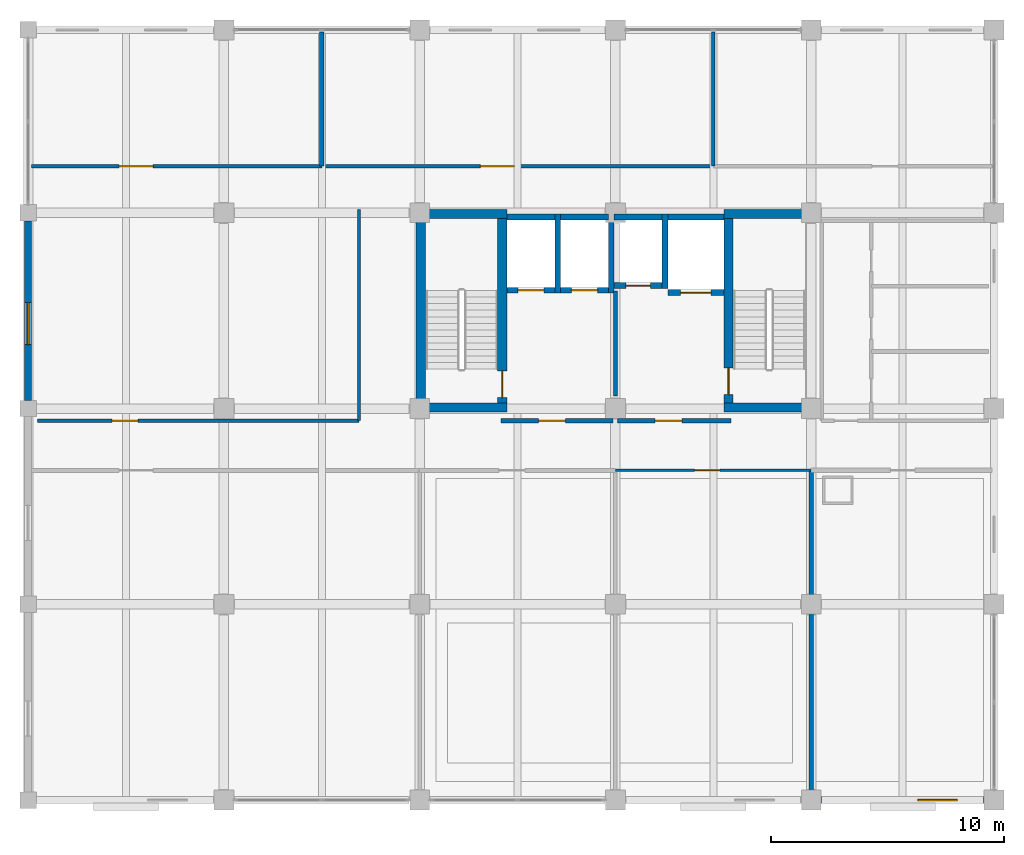
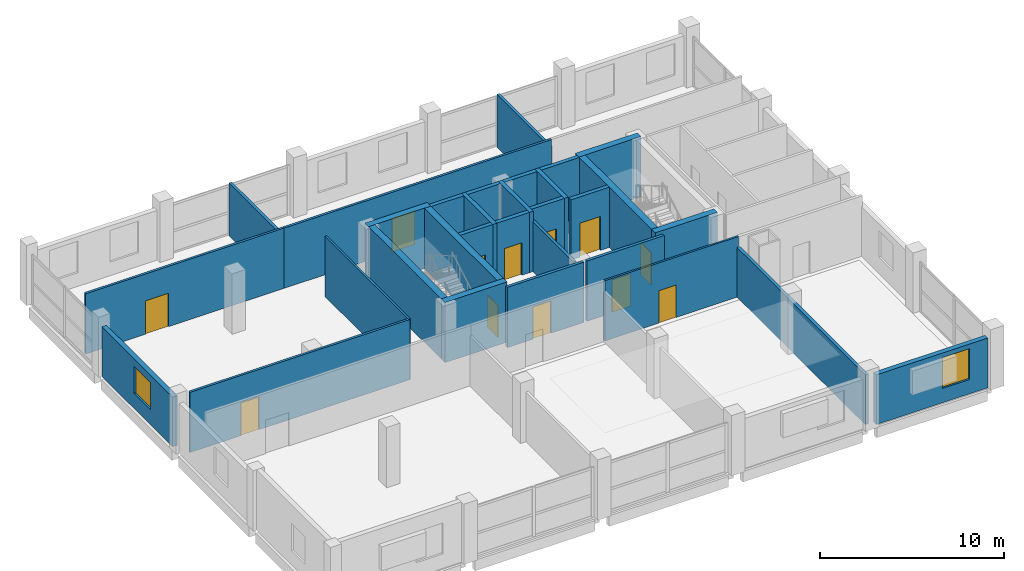
# One storey, part 7 of 11: 31 walls, 12 doors, 2 windows, 14 openings.
"""IFC4 building model written with IfcOpenShell, lengths in metres."""

from ifc_helpers import new_model, si_unit, direction, frame, frame_2d, origin, place, context, subcontext, project, spatial, rectangle, extrude, material, layer, layer_set, type_object, element, fill, save


model = new_model("IFC4")

# Units and contexts
model_context = context("Model", 3, precision=1e-05, world=origin(), true_north=direction((0.0, 1.0)))
body_context = subcontext(model_context, "Body", "Model", "MODEL_VIEW")
ifc_project = project(units=[si_unit("LENGTHUNIT", "METRE"), si_unit("AREAUNIT", "SQUARE_METRE"), si_unit("VOLUMEUNIT", "CUBIC_METRE"), si_unit("PLANEANGLEUNIT", "RADIAN"), si_unit("MASSUNIT", "GRAM", prefix="KILO")], contexts=[model_context])

# Site, building, storey
site_placement = place(None, origin())
site = spatial("IfcSite", under=ifc_project, at=site_placement, CompositionType="ELEMENT")
building_placement = place(site_placement, origin())
building = spatial("IfcBuilding", under=site, at=building_placement, Name="Brinegate Botanical Conservatory", CompositionType="ELEMENT")
storey_placement = place(building_placement, frame((0.0, 0.0, 23.39990234375)))
storey = spatial("IfcBuildingStorey", under=building, at=storey_placement, Name="L06", CompositionType="ELEMENT", Elevation=23.39990234375)

# Wall, opening, window
ifc_material_1 = material(Name="Insulated Minnan red clay brick masonry", Category="masonry")
ifc_layer_1 = layer(ifc_material_1, 0.300048828125, Name="Insulated Minnan red clay brick masonry", Category="masonry")
ifc_layer_set_1 = layer_set([ifc_layer_1], Name="Insulated Minnan red clay brick masonry")
wall_type_1 = type_object("IfcWallType", Name="Wall_EW-300B", PredefinedType="STANDARD", material=ifc_layer_set_1)
wall_1_placement = place(storey_placement, frame((163.02490234375, 78.39990234375, 0.0), z_axis=(0.0, 0.0, 1.0), x_axis=(-1.0, 0.0, 0.0)))
wall_1 = element("IfcWall", 1, at=wall_1_placement, inside=storey, type_object=wall_type_1, Name="Tower south facade wall L06.5", PredefinedType="STANDARD", context=body_context, shape_type="SweptSolid", body=[
    extrude(rectangle(XDim=7.0, YDim=0.300048828125, at=frame_2d((3.5, 0.0))), origin(), (0.0, 0.0, 1.0), 3.300048828125),
])
opening_1_placement = place(wall_1_placement, frame((1.14990234375, 0.0, 0.949951171875)))
opening_1 = element("IfcOpeningElement", 2, at=opening_1_placement, cuts=wall_1, Name="Opening WN-21", PredefinedType="OPENING", context=body_context, shape_type="SweptSolid", body=[
    extrude(rectangle(XDim=1.699951171875, YDim=2.050048828125, at=frame_2d((0.85009765625, 1.02490234375))), frame((0.0, 0.159912109375, 0.0), z_axis=(0.0, -1.0, 0.0), x_axis=(1.0, 0.0, 0.0)), (0.0, 0.0, 1.0), 0.320068359375),
])
ifc_material_2 = material(Name="Thermally broken aluminium-framed Low-E glass", Category="aluminium")
window_type_1 = type_object("IfcWindowType", Name="Win_WN-21", PartitioningType="DOUBLE_PANEL_VERTICAL", PredefinedType="WINDOW", material=ifc_material_2)
window_1_placement = place(opening_1_placement, origin())
window_1 = element("IfcWindow", 3, at=window_1_placement, inside=storey, type_object=window_type_1, Name="Tower south window L06.5", OverallHeight=2.050048828125, OverallWidth=1.699951171875, PartitioningType="DOUBLE_PANEL_VERTICAL", PredefinedType="WINDOW", context=body_context, shape_type="SweptSolid", body=[
    extrude(rectangle(XDim=1.699951171875, YDim=2.050048828125, at=frame_2d((0.85009765625, 1.02490234375))), frame((0.0, 0.030029296875, 0.0), z_axis=(0.0, -1.0, 0.0), x_axis=(1.0, 0.0, 0.0)), (0.0, 0.0, 1.0), 0.06005859375),
])
fill(opening_1, window_1)

wall_2_placement = place(storey_placement, frame((122.0, 95.550048828125, 0.0), z_axis=(0.0, 0.0, 1.0), x_axis=(0.0, 1.0, 0.0)))
wall_2 = element("IfcWall", 4, at=wall_2_placement, inside=storey, type_object=wall_type_1, Name="Tower mid-west wall L06", PredefinedType="STANDARD", context=body_context, shape_type="SweptSolid", body=[
    extrude(rectangle(XDim=7.699951171875, YDim=0.300048828125, at=frame_2d((3.85009765625, 0.0))), origin(), (0.0, 0.0, 1.0), 3.300048828125),
])
opening_2_placement = place(wall_2_placement, frame((2.39990234375, 0.0, 1.0)))
opening_2 = element("IfcOpeningElement", 5, at=opening_2_placement, cuts=wall_2, Name="Opening WN-05", PredefinedType="OPENING", context=body_context, shape_type="SweptSolid", body=[
    extrude(rectangle(XDim=1.800048828125, YDim=1.800048828125, at=frame_2d((0.89990234375, 0.89990234375))), frame((0.0, 0.159912109375, 0.0), z_axis=(0.0, -1.0, 0.0), x_axis=(1.0, 0.0, 0.0)), (0.0, 0.0, 1.0), 0.320068359375),
])
window_type_2 = type_object("IfcWindowType", Name="Win_WN-05", PartitioningType="DOUBLE_PANEL_VERTICAL", PredefinedType="WINDOW", material=ifc_material_2)
window_2_placement = place(opening_2_placement, origin())
window_2 = element("IfcWindow", 6, at=window_2_placement, inside=storey, type_object=window_type_2, Name="Tower mid-west window L06", OverallHeight=1.800048828125, OverallWidth=1.800048828125, PartitioningType="DOUBLE_PANEL_VERTICAL", PredefinedType="WINDOW", context=body_context, shape_type="SweptSolid", body=[
    extrude(rectangle(XDim=1.800048828125, YDim=1.800048828125, at=frame_2d((0.89990234375, 0.89990234375))), frame((0.0, 0.030029296875, 0.0), z_axis=(0.0, -1.0, 0.0), x_axis=(1.0, 0.0, 0.0)), (0.0, 0.0, 1.0), 0.06005859375),
])
fill(opening_2, window_2)

# Wall
ifc_material_3 = material(Name="Gypsum-clad steel-stud partition", Category="steel")
ifc_layer_2 = layer(ifc_material_3, 0.1201171875, Name="Gypsum-clad steel-stud partition", Category="steel")
ifc_layer_set_2 = layer_set([ifc_layer_2], Name="Gypsum-clad steel-stud partition")
wall_type_2 = type_object("IfcWallType", Name="Wall_PW-120", PredefinedType="PARTITIONING", material=ifc_layer_set_2)
wall_3_placement = place(storey_placement, frame((136.199951171875, 94.679931640625, 0.0), z_axis=(0.0, 0.0, 1.0), x_axis=(0.0, 1.0, 0.0)))
element("IfcWall", 7, at=wall_3_placement, inside=storey, type_object=wall_type_2, Name="Interior partition P-L06-XCORR-W", PredefinedType="PARTITIONING", context=body_context, shape_type="SweptSolid", body=[
    extrude(rectangle(XDim=9.070068359375, YDim=0.1201171875, at=frame_2d((4.53515625, 0.0))), origin(), (0.0, 0.0, 1.0), 4.0),
])

# Wall, opening, door
wall_4_placement = place(storey_placement, frame((147.199951171875, 92.550048828125, 0.0), z_axis=(0.0, 0.0, 1.0), x_axis=(1.0, 0.0, 0.0)))
wall_4 = element("IfcWall", 8, at=wall_4_placement, inside=storey, type_object=wall_type_2, Name="Interior partition P-L06-SB-S3", PredefinedType="PARTITIONING", context=body_context, shape_type="SweptSolid", body=[
    extrude(rectangle(XDim=8.400146484375, YDim=0.1201171875, at=frame_2d((4.2001953125, 0.0))), origin(), (0.0, 0.0, 1.0), 4.0),
])
opening_3_placement = place(wall_4_placement, frame((3.39990234375, 0.0, 0.0)))
opening_3 = element("IfcOpeningElement", 9, at=opening_3_placement, cuts=wall_4, Name="Opening DR-01", PredefinedType="OPENING", context=body_context, shape_type="SweptSolid", body=[
    extrude(rectangle(XDim=1.080078125, YDim=2.14990234375, at=frame_2d((0.5400390625, 1.074951171875))), frame((0.0, 0.070068359375, 0.0), z_axis=(0.0, -1.0, 0.0), x_axis=(1.0, 0.0, 0.0)), (0.0, 0.0, 1.0), 0.14013671875),
])
ifc_material_4 = material(Name="Hardwood timber acoustic leaf", Category="wood")
door_type_1 = type_object("IfcDoorType", Name="Door_DR-01", OperationType="NOTDEFINED", PredefinedType="DOOR", material=ifc_material_4)
door_1_placement = place(opening_3_placement, origin())
door_1 = element("IfcDoor", 10, at=door_1_placement, inside=storey, type_object=door_type_1, Name="DR-P-L06-SB-S3-1", OperationType="SINGLE_SWING_RIGHT", OverallHeight=2.14990234375, OverallWidth=1.080078125, PredefinedType="DOOR", context=body_context, shape_type="SweptSolid", body=[
    extrude(rectangle(XDim=1.080078125, YDim=2.14990234375, at=frame_2d((0.5400390625, 1.074951171875))), frame((0.0, 0.02490234375, 0.0), z_axis=(0.0, -1.0, 0.0), x_axis=(1.0, 0.0, 0.0)), (0.0, 0.0, 1.0), 0.050048828125),
])
fill(opening_3, door_1)

ifc_material_5 = material(Name="Gypsum-clad acoustic steel-stud partition", Category="steel")
ifc_layer_3 = layer(ifc_material_5, 0.14501953125, Name="Gypsum-clad acoustic steel-stud partition", Category="steel")
ifc_layer_set_3 = layer_set([ifc_layer_3], Name="Gypsum-clad acoustic steel-stud partition")
wall_type_3 = type_object("IfcWallType", Name="Wall_PW-150", PredefinedType="PARTITIONING", material=ifc_layer_set_3)
wall_5_placement = place(storey_placement, frame((122.39990234375, 94.679931640625, 0.0), z_axis=(0.0, 0.0, 1.0), x_axis=(1.0, 0.0, 0.0)))
wall_5 = element("IfcWall", 11, at=wall_5_placement, inside=storey, type_object=wall_type_3, Name="Interior partition P-L06-MIDW-S", PredefinedType="PARTITIONING", context=body_context, shape_type="SweptSolid", body=[
    extrude(rectangle(XDim=13.800048828125, YDim=0.14501953125, at=frame_2d((6.89990234375, 0.0))), origin(), (0.0, 0.0, 1.0), 4.0),
])
opening_4_placement = place(wall_5_placement, frame((3.199951171875, 0.0, 0.0)))
opening_4 = element("IfcOpeningElement", 12, at=opening_4_placement, cuts=wall_5, Name="Opening DR-05", PredefinedType="OPENING", context=body_context, shape_type="SweptSolid", body=[
    extrude(rectangle(XDim=1.1201171875, YDim=2.179931640625, at=frame_2d((0.56005859375, 1.08984375))), frame((0.0, 0.08251953125, 0.0), z_axis=(0.0, -1.0, 0.0), x_axis=(1.0, 0.0, 0.0)), (0.0, 0.0, 1.0), 0.1650390625),
])
ifc_material_6 = material(Name="Phenolic-faced laboratory timber leaf", Category="wood")
door_type_2 = type_object("IfcDoorType", Name="Door_DR-05", OperationType="NOTDEFINED", PredefinedType="DOOR", material=ifc_material_6)
door_2_placement = place(opening_4_placement, origin())
door_2 = element("IfcDoor", 13, at=door_2_placement, inside=storey, type_object=door_type_2, Name="DR-P-L06-MIDW-S-1", OperationType="SINGLE_SWING_RIGHT", OverallHeight=2.179931640625, OverallWidth=1.1201171875, PredefinedType="DOOR", context=body_context, shape_type="SweptSolid", body=[
    extrude(rectangle(XDim=1.1201171875, YDim=2.179931640625, at=frame_2d((0.56005859375, 1.08984375))), frame((0.0, 0.02490234375, 0.0), z_axis=(0.0, -1.0, 0.0), x_axis=(1.0, 0.0, 0.0)), (0.0, 0.0, 1.0), 0.050048828125),
])
fill(opening_4, door_2)

wall_6_placement = place(storey_placement, frame((122.14990234375, 105.60009765625, 0.0), z_axis=(0.0, 0.0, 1.0), x_axis=(1.0, 0.0, 0.0)))
wall_6 = element("IfcWall", 14, at=wall_6_placement, inside=storey, type_object=wall_type_3, Name="Interior partition P-L06-NB-N1", PredefinedType="PARTITIONING", context=body_context, shape_type="SweptSolid", body=[
    extrude(rectangle(XDim=12.4501953125, YDim=0.14501953125, at=frame_2d((6.22509765625, 0.0))), origin(), (0.0, 0.0, 1.0), 4.0),
])
opening_5_placement = place(wall_6_placement, frame((3.75, 0.0, 0.0)))
opening_5 = element("IfcOpeningElement", 15, at=opening_5_placement, cuts=wall_6, Name="Opening DR-20", PredefinedType="OPENING", context=body_context, shape_type="SweptSolid", body=[
    extrude(rectangle(XDim=1.4599609375, YDim=2.219970703125, at=frame_2d((0.72998046875, 1.10986328125))), frame((0.0, 0.08251953125, 0.0), z_axis=(0.0, -1.0, 0.0), x_axis=(1.0, 0.0, 0.0)), (0.0, 0.0, 1.0), 0.1650390625),
])
ifc_material_7 = material(Name="Powder-coated steel lab door", Category="steel")
door_type_3 = type_object("IfcDoorType", Name="Door_DR-20", OperationType="NOTDEFINED", PredefinedType="DOOR", material=ifc_material_7)
door_3_placement = place(opening_5_placement, origin())
door_3 = element("IfcDoor", 16, at=door_3_placement, inside=storey, type_object=door_type_3, Name="DR-P-L06-NB-N1-1", OperationType="SINGLE_SWING_LEFT", OverallHeight=2.219970703125, OverallWidth=1.4599609375, PredefinedType="DOOR", context=body_context, shape_type="SweptSolid", body=[
    extrude(rectangle(XDim=1.4599609375, YDim=2.219970703125, at=frame_2d((0.72998046875, 1.10986328125))), frame((0.0, 0.02490234375, 0.0), z_axis=(0.0, -1.0, 0.0), x_axis=(1.0, 0.0, 0.0)), (0.0, 0.0, 1.0), 0.050048828125),
])
fill(opening_5, door_3)

wall_7_placement = place(storey_placement, frame((134.60009765625, 105.60009765625, 0.0), z_axis=(0.0, 0.0, 1.0), x_axis=(1.0, 0.0, 0.0)))
wall_7 = element("IfcWall", 17, at=wall_7_placement, inside=storey, type_object=wall_type_3, Name="Interior partition P-L06-NB-N2", PredefinedType="PARTITIONING", context=body_context, shape_type="SweptSolid", body=[
    extrude(rectangle(XDim=16.7998046875, YDim=0.14501953125, at=frame_2d((8.39990234375, 0.0))), origin(), (0.0, 0.0, 1.0), 4.0),
])
opening_6_placement = place(wall_7_placement, frame((6.800048828125, 0.0, 0.0)))
opening_6 = element("IfcOpeningElement", 18, at=opening_6_placement, cuts=wall_7, Name="Opening DR-20", PredefinedType="OPENING", context=body_context, shape_type="SweptSolid", body=[
    extrude(rectangle(XDim=1.4599609375, YDim=2.219970703125, at=frame_2d((0.72998046875, 1.10986328125))), frame((0.0, 0.08251953125, 0.0), z_axis=(0.0, -1.0, 0.0), x_axis=(1.0, 0.0, 0.0)), (0.0, 0.0, 1.0), 0.1650390625),
])
door_4_placement = place(opening_6_placement, origin())
door_4 = element("IfcDoor", 19, at=door_4_placement, inside=storey, type_object=door_type_3, Name="DR-P-L06-NB-N2-1", OperationType="SINGLE_SWING_RIGHT", OverallHeight=2.219970703125, OverallWidth=1.4599609375, PredefinedType="DOOR", context=body_context, shape_type="SweptSolid", body=[
    extrude(rectangle(XDim=1.4599609375, YDim=2.219970703125, at=frame_2d((0.72998046875, 1.10986328125))), frame((0.0, 0.02490234375, 0.0), z_axis=(0.0, -1.0, 0.0), x_axis=(1.0, 0.0, 0.0)), (0.0, 0.0, 1.0), 0.050048828125),
])
fill(opening_6, door_4)

# Wall
ifc_material_8 = material(Name="Moisture-resistant laboratory partition", Category="gypsum")
ifc_layer_4 = layer(ifc_material_8, 0.157958984375, Name="Moisture-resistant laboratory partition", Category="gypsum")
ifc_layer_set_4 = layer_set([ifc_layer_4], Name="Moisture-resistant laboratory partition")
wall_type_4 = type_object("IfcWallType", Name="Wall_PW-158", PredefinedType="PARTITIONING", material=ifc_layer_set_4)
wall_8_placement = place(storey_placement, frame((151.39990234375, 105.60009765625, 0.0), z_axis=(0.0, 0.0, 1.0), x_axis=(0.0, 1.0, 0.0)))
element("IfcWall", 20, at=wall_8_placement, inside=storey, type_object=wall_type_4, Name="Interior partition P-L06-NDIV-N3", PredefinedType="PARTITIONING", context=body_context, shape_type="SweptSolid", body=[
    extrude(rectangle(XDim=5.75, YDim=0.157958984375, at=frame_2d((2.875, 0.0))), origin(), (0.0, 0.0, 1.0), 3.5),
])

# Wall, opening, door
ifc_material_9 = material(Name="Autoclaved aerated concrete C40/50 blockwork", Category="masonry")
ifc_layer_5 = layer(ifc_material_9, 0.179931640625, Name="Autoclaved aerated concrete C40/50 blockwork", Category="masonry")
ifc_layer_set_5 = layer_set([ifc_layer_5], Name="Autoclaved aerated concrete C40/50 blockwork")
wall_type_5 = type_object("IfcWallType", Name="Wall_PW-180F", PredefinedType="STANDARD", material=ifc_layer_set_5)
wall_9_placement = place(storey_placement, frame((142.300048828125, 94.679931640625, 0.0), z_axis=(0.0, 0.0, 1.0), x_axis=(1.0, 0.0, 0.0)))
wall_9 = element("IfcWall", 21, at=wall_9_placement, inside=storey, type_object=wall_type_5, Name="Interior partition P-L06-CORE-FF", PredefinedType="STANDARD", context=body_context, shape_type="SweptSolid", body=[
    extrude(rectangle(XDim=4.800048828125, YDim=0.179931640625, at=frame_2d((2.39990234375, 0.0))), origin(), (0.0, 0.0, 1.0), 4.0),
])
opening_7_placement = place(wall_9_placement, frame((1.60009765625, 0.0, 0.0)))
opening_7 = element("IfcOpeningElement", 22, at=opening_7_placement, cuts=wall_9, Name="Opening FD-B1", PredefinedType="OPENING", context=body_context, shape_type="SweptSolid", body=[
    extrude(rectangle(XDim=1.14990234375, YDim=2.14990234375, at=frame_2d((0.574951171875, 1.074951171875))), frame((0.0, 0.099853515625, 0.0), z_axis=(0.0, -1.0, 0.0), x_axis=(1.0, 0.0, 0.0)), (0.0, 0.0, 1.0), 0.199951171875),
])
ifc_material_10 = material(Name="Steel smoke-proof fire door assembly", Category="steel")
door_type_4 = type_object("IfcDoorType", Name="Door_FD-B1", OperationType="NOTDEFINED", PredefinedType="DOOR", material=ifc_material_10)
door_5_placement = place(opening_7_placement, origin())
door_5 = element("IfcDoor", 23, at=door_5_placement, inside=storey, type_object=door_type_4, Name="DR-P-L06-CORE-FF-1", OperationType="SINGLE_SWING_LEFT", OverallHeight=2.14990234375, OverallWidth=1.14990234375, PredefinedType="DOOR", context=body_context, shape_type="SweptSolid", body=[
    extrude(rectangle(XDim=1.14990234375, YDim=2.14990234375, at=frame_2d((0.574951171875, 1.074951171875))), frame((0.0, 0.02490234375, 0.0), z_axis=(0.0, -1.0, 0.0), x_axis=(1.0, 0.0, 0.0)), (0.0, 0.0, 1.0), 0.050048828125),
])
fill(opening_7, door_5)

wall_10_placement = place(storey_placement, frame((147.300048828125, 94.679931640625, 0.0), z_axis=(0.0, 0.0, 1.0), x_axis=(1.0, 0.0, 0.0)))
wall_10 = element("IfcWall", 24, at=wall_10_placement, inside=storey, type_object=wall_type_5, Name="Interior partition P-L06-CORE-PAX", PredefinedType="STANDARD", context=body_context, shape_type="SweptSolid", body=[
    extrude(rectangle(XDim=4.849853515625, YDim=0.179931640625, at=frame_2d((2.4248046875, 0.0))), origin(), (0.0, 0.0, 1.0), 4.0),
])
opening_8_placement = place(wall_10_placement, frame((1.60009765625, 0.0, 0.0)))
opening_8 = element("IfcOpeningElement", 25, at=opening_8_placement, cuts=wall_10, Name="Opening FD-B1", PredefinedType="OPENING", context=body_context, shape_type="SweptSolid", body=[
    extrude(rectangle(XDim=1.14990234375, YDim=2.14990234375, at=frame_2d((0.574951171875, 1.074951171875))), frame((0.0, 0.099853515625, 0.0), z_axis=(0.0, -1.0, 0.0), x_axis=(1.0, 0.0, 0.0)), (0.0, 0.0, 1.0), 0.199951171875),
])
door_6_placement = place(opening_8_placement, origin())
door_6 = element("IfcDoor", 26, at=door_6_placement, inside=storey, type_object=door_type_4, Name="DR-P-L06-CORE-PAX-1", OperationType="SINGLE_SWING_RIGHT", OverallHeight=2.14990234375, OverallWidth=1.14990234375, PredefinedType="DOOR", context=body_context, shape_type="SweptSolid", body=[
    extrude(rectangle(XDim=1.14990234375, YDim=2.14990234375, at=frame_2d((0.574951171875, 1.074951171875))), frame((0.0, 0.02490234375, 0.0), z_axis=(0.0, -1.0, 0.0), x_axis=(1.0, 0.0, 0.0)), (0.0, 0.0, 1.0), 0.050048828125),
])
fill(opening_8, door_6)

# Walls
wall_11_placement = place(storey_placement, frame((147.199951171875, 95.75, 0.0), z_axis=(0.0, 0.0, 1.0), x_axis=(0.0, 1.0, 0.0)))
element("IfcWall", 27, at=wall_11_placement, inside=storey, type_object=wall_type_5, Name="Interior partition P-L06-CORE-DIV", PredefinedType="STANDARD", context=body_context, shape_type="SweptSolid", body=[
    extrude(rectangle(XDim=4.5, YDim=0.179931640625, at=frame_2d((2.25, 0.0))), origin(), (0.0, 0.0, 1.0), 3.300048828125),
])
wall_12_placement = place(storey_placement, frame((134.60009765625, 105.60009765625, 0.0), z_axis=(0.0, 0.0, 1.0), x_axis=(0.0, 1.0, 0.0)))
element("IfcWall", 28, at=wall_12_placement, inside=storey, type_object=wall_type_5, Name="Interior partition P-L06-NDIV-N2", PredefinedType="STANDARD", context=body_context, shape_type="SweptSolid", body=[
    extrude(rectangle(XDim=5.75, YDim=0.179931640625, at=frame_2d((2.875, 0.0))), origin(), (0.0, 0.0, 1.0), 3.5),
])
ifc_layer_6 = layer(ifc_material_9, 0.199951171875, Name="Autoclaved aerated concrete C40/50 blockwork", Category="masonry")
ifc_layer_set_6 = layer_set([ifc_layer_6], Name="Autoclaved aerated concrete C40/50 blockwork")
wall_type_6 = type_object("IfcWallType", Name="Wall_PW-200F", PredefinedType="SOLIDWALL", material=ifc_layer_set_6)
wall_13_placement = place(storey_placement, frame((155.60009765625, 78.550048828125, 0.0), z_axis=(0.0, 0.0, 1.0), x_axis=(0.0, 1.0, 0.0)))
element("IfcWall", 29, at=wall_13_placement, inside=storey, type_object=wall_type_6, Name="Interior partition P-L06-SDIV-S4", PredefinedType="SOLIDWALL", context=body_context, shape_type="SweptSolid", body=[
    extrude(rectangle(XDim=14.0, YDim=0.199951171875, at=frame_2d((7.0, 0.0))), origin(), (0.0, 0.0, 1.0), 3.300048828125),
])

# Wall, opening, door
ifc_material_11 = material(Name="Concrete C40/50", Category="concrete")
ifc_layer_7 = layer(ifc_material_11, 0.25, Name="Concrete C40/50", Category="concrete")
ifc_layer_set_7 = layer_set([ifc_layer_7], Name="Concrete C40/50")
wall_type_7 = type_object("IfcWallType", Name="Wall_SW-250", PredefinedType="SHEAR", material=ifc_layer_set_7)
wall_14_placement = place(storey_placement, frame((142.550048828125, 100.27490234375, 0.0), z_axis=(0.0, 0.0, 1.0), x_axis=(1.0, 0.0, 0.0)))
wall_14 = element("IfcWall", 30, at=wall_14_placement, inside=storey, type_object=wall_type_7, Name="Lift shaft LF1 shear wall L06 S", PredefinedType="SHEAR", context=body_context, shape_type="SweptSolid", body=[
    extrude(rectangle(XDim=2.050048828125, YDim=0.25, at=frame_2d((1.02490234375, 0.0))), origin(), (0.0, 0.0, 1.0), 4.0),
])
opening_9_placement = place(wall_14_placement, frame((0.47509765625, 0.0, 0.0)))
opening_9 = element("IfcOpeningElement", 31, at=opening_9_placement, cuts=wall_14, Name="Opening LD-01", PredefinedType="OPENING", context=body_context, shape_type="SweptSolid", body=[
    extrude(rectangle(XDim=1.10009765625, YDim=2.14990234375, at=frame_2d((0.550048828125, 1.074951171875))), frame((0.0, 0.135009765625, 0.0), z_axis=(0.0, -1.0, 0.0), x_axis=(1.0, 0.0, 0.0)), (0.0, 0.0, 1.0), 0.27001953125),
])
ifc_material_12 = material(Name="Brushed stainless steel S355 landing door", Category="steel")
door_type_5 = type_object("IfcDoorType", Name="Door_LD-01", OperationType="SLIDING_TO_LEFT", PredefinedType="DOOR", material=ifc_material_12)
door_7_placement = place(opening_9_placement, origin())
door_7 = element("IfcDoor", 32, at=door_7_placement, inside=storey, type_object=door_type_5, Name="LD-LF1-L06", OperationType="SLIDING_TO_LEFT", OverallHeight=2.14990234375, OverallWidth=1.10009765625, PredefinedType="DOOR", context=body_context, shape_type="SweptSolid", body=[
    extrude(rectangle(XDim=1.10009765625, YDim=2.14990234375, at=frame_2d((0.550048828125, 1.074951171875))), frame((0.0, 0.02490234375, 0.0), z_axis=(0.0, -1.0, 0.0), x_axis=(1.0, 0.0, 0.0)), (0.0, 0.0, 1.0), 0.050048828125),
])
fill(opening_9, door_7)

# Walls
wall_15_placement = place(storey_placement, frame((142.550048828125, 103.425048828125, 0.0), z_axis=(0.0, 0.0, 1.0), x_axis=(1.0, 0.0, 0.0)))
element("IfcWall", 33, at=wall_15_placement, inside=storey, type_object=wall_type_7, Name="Lift shaft LF1 shear wall L06 N", PredefinedType="SHEAR", context=body_context, shape_type="SweptSolid", body=[
    extrude(rectangle(XDim=2.050048828125, YDim=0.25, at=frame_2d((1.02490234375, 0.0))), origin(), (0.0, 0.0, 1.0), 4.0),
])
wall_16_placement = place(storey_placement, frame((144.72509765625, 100.14990234375, 0.0), z_axis=(0.0, 0.0, 1.0), x_axis=(0.0, 1.0, 0.0)))
element("IfcWall", 34, at=wall_16_placement, inside=storey, type_object=wall_type_7, Name="Lift shaft LF1 shear wall L06 E", PredefinedType="SHEAR", context=body_context, shape_type="SweptSolid", body=[
    extrude(rectangle(XDim=3.400146484375, YDim=0.25, at=frame_2d((1.7001953125, 0.0))), origin(), (0.0, 0.0, 1.0), 4.0),
])

# Wall, opening, door
wall_17_placement = place(storey_placement, frame((144.85009765625, 100.27490234375, 0.0), z_axis=(0.0, 0.0, 1.0), x_axis=(1.0, 0.0, 0.0)))
wall_17 = element("IfcWall", 35, at=wall_17_placement, inside=storey, type_object=wall_type_7, Name="Lift shaft LF2 shear wall L06 S", PredefinedType="SHEAR", context=body_context, shape_type="SweptSolid", body=[
    extrude(rectangle(XDim=2.0498046875, YDim=0.25, at=frame_2d((1.02490234375, 0.0))), origin(), (0.0, 0.0, 1.0), 4.0),
])
opening_10_placement = place(wall_17_placement, frame((0.465087890625, 0.0, 0.0)))
opening_10 = element("IfcOpeningElement", 36, at=opening_10_placement, cuts=wall_17, Name="Opening LD-02", PredefinedType="OPENING", context=body_context, shape_type="SweptSolid", body=[
    extrude(rectangle(XDim=1.1201171875, YDim=2.14990234375, at=frame_2d((0.56005859375, 1.074951171875))), frame((0.0, 0.135009765625, 0.0), z_axis=(0.0, -1.0, 0.0), x_axis=(1.0, 0.0, 0.0)), (0.0, 0.0, 1.0), 0.27001953125),
])
door_type_6 = type_object("IfcDoorType", Name="Door_LD-02", OperationType="SLIDING_TO_LEFT", PredefinedType="DOOR", material=ifc_material_12)
door_8_placement = place(opening_10_placement, origin())
door_8 = element("IfcDoor", 37, at=door_8_placement, inside=storey, type_object=door_type_6, Name="LD-LF2-L06", OperationType="SLIDING_TO_LEFT", OverallHeight=2.14990234375, OverallWidth=1.1201171875, PredefinedType="DOOR", context=body_context, shape_type="SweptSolid", body=[
    extrude(rectangle(XDim=1.1201171875, YDim=2.14990234375, at=frame_2d((0.56005859375, 1.074951171875))), frame((0.0, 0.02490234375, 0.0), z_axis=(0.0, -1.0, 0.0), x_axis=(1.0, 0.0, 0.0)), (0.0, 0.0, 1.0), 0.050048828125),
])
fill(opening_10, door_8)

# Walls
wall_18_placement = place(storey_placement, frame((144.85009765625, 103.425048828125, 0.0), z_axis=(0.0, 0.0, 1.0), x_axis=(1.0, 0.0, 0.0)))
element("IfcWall", 38, at=wall_18_placement, inside=storey, type_object=wall_type_7, Name="Lift shaft LF2 shear wall L06 N", PredefinedType="SHEAR", context=body_context, shape_type="SweptSolid", body=[
    extrude(rectangle(XDim=2.0498046875, YDim=0.25, at=frame_2d((1.02490234375, 0.0))), origin(), (0.0, 0.0, 1.0), 4.0),
])
wall_19_placement = place(storey_placement, frame((147.02490234375, 100.14990234375, 0.0), z_axis=(0.0, 0.0, 1.0), x_axis=(0.0, 1.0, 0.0)))
element("IfcWall", 39, at=wall_19_placement, inside=storey, type_object=wall_type_7, Name="Lift shaft LF2 shear wall L06 E", PredefinedType="SHEAR", context=body_context, shape_type="SweptSolid", body=[
    extrude(rectangle(XDim=3.400146484375, YDim=0.25, at=frame_2d((1.7001953125, 0.0))), origin(), (0.0, 0.0, 1.0), 4.0),
])

# Wall, opening, door
wall_20_placement = place(storey_placement, frame((147.14990234375, 100.47509765625, 0.0), z_axis=(0.0, 0.0, 1.0), x_axis=(1.0, 0.0, 0.0)))
wall_20 = element("IfcWall", 40, at=wall_20_placement, inside=storey, type_object=wall_type_7, Name="Lift shaft LF3 shear wall L06 S", PredefinedType="SHEAR", context=body_context, shape_type="SweptSolid", body=[
    extrude(rectangle(XDim=2.050048828125, YDim=0.25, at=frame_2d((1.02490234375, 0.0))), origin(), (0.0, 0.0, 1.0), 4.0),
])
opening_11_placement = place(wall_20_placement, frame((0.4951171875, 0.0, 0.0)))
opening_11 = element("IfcOpeningElement", 41, at=opening_11_placement, cuts=wall_20, Name="Opening LD-03", PredefinedType="OPENING", context=body_context, shape_type="SweptSolid", body=[
    extrude(rectangle(XDim=1.06005859375, YDim=2.14990234375, at=frame_2d((0.530029296875, 1.074951171875))), frame((0.0, 0.135009765625, 0.0), z_axis=(0.0, -1.0, 0.0), x_axis=(1.0, 0.0, 0.0)), (0.0, 0.0, 1.0), 0.27001953125),
])
door_type_7 = type_object("IfcDoorType", Name="Door_LD-03", OperationType="SLIDING_TO_LEFT", PredefinedType="DOOR", material=ifc_material_12)
door_9_placement = place(opening_11_placement, origin())
door_9 = element("IfcDoor", 42, at=door_9_placement, inside=storey, type_object=door_type_7, Name="LD-LF3-L06", OperationType="SLIDING_TO_LEFT", OverallHeight=2.14990234375, OverallWidth=1.06005859375, PredefinedType="DOOR", context=body_context, shape_type="SweptSolid", body=[
    extrude(rectangle(XDim=1.06005859375, YDim=2.14990234375, at=frame_2d((0.530029296875, 1.074951171875))), frame((0.0, 0.02490234375, 0.0), z_axis=(0.0, -1.0, 0.0), x_axis=(1.0, 0.0, 0.0)), (0.0, 0.0, 1.0), 0.050048828125),
])
fill(opening_11, door_9)

# Walls
wall_21_placement = place(storey_placement, frame((147.14990234375, 103.425048828125, 0.0), z_axis=(0.0, 0.0, 1.0), x_axis=(1.0, 0.0, 0.0)))
element("IfcWall", 43, at=wall_21_placement, inside=storey, type_object=wall_type_7, Name="Lift shaft LF3 shear wall L06 N", PredefinedType="SHEAR", context=body_context, shape_type="SweptSolid", body=[
    extrude(rectangle(XDim=2.050048828125, YDim=0.25, at=frame_2d((1.02490234375, 0.0))), origin(), (0.0, 0.0, 1.0), 4.0),
])
wall_22_placement = place(storey_placement, frame((149.324951171875, 100.35009765625, 0.0), z_axis=(0.0, 0.0, 1.0), x_axis=(0.0, 1.0, 0.0)))
element("IfcWall", 44, at=wall_22_placement, inside=storey, type_object=wall_type_7, Name="Lift shaft LF3 shear wall L06 E", PredefinedType="SHEAR", context=body_context, shape_type="SweptSolid", body=[
    extrude(rectangle(XDim=3.199951171875, YDim=0.25, at=frame_2d((1.60009765625, 0.0))), origin(), (0.0, 0.0, 1.0), 4.0),
])

# Wall, opening, door
wall_23_placement = place(storey_placement, frame((149.449951171875, 100.175048828125, 0.0), z_axis=(0.0, 0.0, 1.0), x_axis=(1.0, 0.0, 0.0)))
wall_23 = element("IfcWall", 45, at=wall_23_placement, inside=storey, type_object=wall_type_7, Name="Lift shaft LF4 shear wall L06 S", PredefinedType="SHEAR", context=body_context, shape_type="SweptSolid", body=[
    extrude(rectangle(XDim=2.400146484375, YDim=0.25, at=frame_2d((1.2001953125, 0.0))), origin(), (0.0, 0.0, 1.0), 4.0),
])
opening_12_placement = place(wall_23_placement, frame((0.550048828125, 0.0, 0.0)))
opening_12 = element("IfcOpeningElement", 46, at=opening_12_placement, cuts=wall_23, Name="Opening LD-04", PredefinedType="OPENING", context=body_context, shape_type="SweptSolid", body=[
    extrude(rectangle(XDim=1.300048828125, YDim=2.25, at=frame_2d((0.64990234375, 1.125))), frame((0.0, 0.135009765625, 0.0), z_axis=(0.0, -1.0, 0.0), x_axis=(1.0, 0.0, 0.0)), (0.0, 0.0, 1.0), 0.27001953125),
])
door_type_8 = type_object("IfcDoorType", Name="Door_LD-04", OperationType="SLIDING_TO_LEFT", PredefinedType="DOOR", material=ifc_material_12)
door_10_placement = place(opening_12_placement, origin())
door_10 = element("IfcDoor", 47, at=door_10_placement, inside=storey, type_object=door_type_8, Name="LD-LF4-L06", OperationType="SLIDING_TO_LEFT", OverallHeight=2.25, OverallWidth=1.300048828125, PredefinedType="DOOR", context=body_context, shape_type="SweptSolid", body=[
    extrude(rectangle(XDim=1.300048828125, YDim=2.25, at=frame_2d((0.64990234375, 1.125))), frame((0.0, 0.02490234375, 0.0), z_axis=(0.0, -1.0, 0.0), x_axis=(1.0, 0.0, 0.0)), (0.0, 0.0, 1.0), 0.050048828125),
])
fill(opening_12, door_10)

# Walls
wall_24_placement = place(storey_placement, frame((149.449951171875, 103.425048828125, 0.0), z_axis=(0.0, 0.0, 1.0), x_axis=(1.0, 0.0, 0.0)))
element("IfcWall", 48, at=wall_24_placement, inside=storey, type_object=wall_type_7, Name="Lift shaft LF4 shear wall L06 N", PredefinedType="SHEAR", context=body_context, shape_type="SweptSolid", body=[
    extrude(rectangle(XDim=2.400146484375, YDim=0.25, at=frame_2d((1.2001953125, 0.0))), origin(), (0.0, 0.0, 1.0), 4.0),
])
ifc_material_13 = material(Name="Concrete C50/60", Category="concrete")
ifc_layer_8 = layer(ifc_material_13, 0.39990234375, Name="Concrete C50/60", Category="concrete")
ifc_layer_set_8 = layer_set([ifc_layer_8], Name="Concrete C50/60")
wall_type_8 = type_object("IfcWallType", Name="Wall_SW-400", PredefinedType="SHEAR", material=ifc_layer_set_8)
for number, where, z_axis, x_axis, name in (
    (49, (138.64990234375, 95.25, 0.0), (0.0, 0.0, 1.0), (1.0, 0.0, 0.0), "Stairwell ST1 shear wall L06 S"),
    (50, (138.64990234375, 103.550048828125, 0.0), (0.0, 0.0, 1.0), (1.0, 0.0, 0.0), "Stairwell ST1 shear wall L06 N"),
):
    element("IfcWall", number, at=place(storey_placement, frame(where, z_axis=z_axis, x_axis=x_axis)), inside=storey, type_object=wall_type_8, Name=name, PredefinedType="SHEAR", context=body_context, shape_type="SweptSolid", body=[
        extrude(rectangle(XDim=3.900146484375, YDim=0.39990234375, at=frame_2d((1.9501953125, 0.0))), origin(), (0.0, 0.0, 1.0), 4.0),
    ])
wall_25_placement = place(storey_placement, frame((138.85009765625, 95.449951171875, 0.0), z_axis=(0.0, 0.0, 1.0), x_axis=(0.0, 1.0, 0.0)))
element("IfcWall", 51, at=wall_25_placement, inside=storey, type_object=wall_type_8, Name="Stairwell ST1 shear wall L06 W", PredefinedType="SHEAR", context=body_context, shape_type="SweptSolid", body=[
    extrude(rectangle(XDim=7.900146484375, YDim=0.39990234375, at=frame_2d((3.9501953125, 0.0))), origin(), (0.0, 0.0, 1.0), 4.0),
])

# Wall, opening, door
wall_26_placement = place(storey_placement, frame((142.35009765625, 95.449951171875, 0.0), z_axis=(0.0, 0.0, 1.0), x_axis=(0.0, 1.0, 0.0)))
wall_26 = element("IfcWall", 52, at=wall_26_placement, inside=storey, type_object=wall_type_8, Name="Stairwell ST1 shear wall L06 E", PredefinedType="SHEAR", context=body_context, shape_type="SweptSolid", body=[
    extrude(rectangle(XDim=7.900146484375, YDim=0.39990234375, at=frame_2d((3.9501953125, 0.0))), origin(), (0.0, 0.0, 1.0), 4.0),
])
opening_13_placement = place(wall_26_placement, frame((0.219970703125, 0.0, 0.0)))
opening_13 = element("IfcOpeningElement", 53, at=opening_13_placement, cuts=wall_26, Name="Opening FD-B1", PredefinedType="OPENING", context=body_context, shape_type="SweptSolid", body=[
    extrude(rectangle(XDim=1.14990234375, YDim=2.14990234375, at=frame_2d((0.574951171875, 1.074951171875))), frame((0.0, 0.2099609375, 0.0), z_axis=(0.0, -1.0, 0.0), x_axis=(1.0, 0.0, 0.0)), (0.0, 0.0, 1.0), 0.419921875),
])
door_11_placement = place(opening_13_placement, origin())
door_11 = element("IfcDoor", 54, at=door_11_placement, inside=storey, type_object=door_type_4, Name="DR-ST-ST1-L06", OperationType="SINGLE_SWING_RIGHT", OverallHeight=2.14990234375, OverallWidth=1.14990234375, PredefinedType="DOOR", context=body_context, shape_type="SweptSolid", body=[
    extrude(rectangle(XDim=1.14990234375, YDim=2.14990234375, at=frame_2d((0.574951171875, 1.074951171875))), frame((0.0, 0.02490234375, 0.0), z_axis=(0.0, -1.0, 0.0), x_axis=(1.0, 0.0, 0.0)), (0.0, 0.0, 1.0), 0.050048828125),
])
fill(opening_13, door_11)

# Walls
for number, where, z_axis, x_axis, name in (
    (55, (151.85009765625, 95.25, 0.0), (0.0, 0.0, 1.0), (1.0, 0.0, 0.0), "Stairwell ST2 shear wall L06 S"),
    (56, (151.85009765625, 103.550048828125, 0.0), (0.0, 0.0, 1.0), (1.0, 0.0, 0.0), "Stairwell ST2 shear wall L06 N"),
):
    element("IfcWall", number, at=place(storey_placement, frame(where, z_axis=z_axis, x_axis=x_axis)), inside=storey, type_object=wall_type_8, Name=name, PredefinedType="SHEAR", context=body_context, shape_type="SweptSolid", body=[
        extrude(rectangle(XDim=3.89990234375, YDim=0.39990234375, at=frame_2d((1.949951171875, 0.0))), origin(), (0.0, 0.0, 1.0), 4.0),
    ])

# Wall, opening, door
wall_27_placement = place(storey_placement, frame((152.050048828125, 95.449951171875, 0.0), z_axis=(0.0, 0.0, 1.0), x_axis=(0.0, 1.0, 0.0)))
wall_27 = element("IfcWall", 57, at=wall_27_placement, inside=storey, type_object=wall_type_8, Name="Stairwell ST2 shear wall L06 W", PredefinedType="SHEAR", context=body_context, shape_type="SweptSolid", body=[
    extrude(rectangle(XDim=7.900146484375, YDim=0.39990234375, at=frame_2d((3.9501953125, 0.0))), origin(), (0.0, 0.0, 1.0), 4.0),
])
opening_14_placement = place(wall_27_placement, frame((0.35009765625, 0.0, 0.0)))
opening_14 = element("IfcOpeningElement", 58, at=opening_14_placement, cuts=wall_27, Name="Opening FD-B1", PredefinedType="OPENING", context=body_context, shape_type="SweptSolid", body=[
    extrude(rectangle(XDim=1.14990234375, YDim=2.14990234375, at=frame_2d((0.574951171875, 1.074951171875))), frame((0.0, 0.2099609375, 0.0), z_axis=(0.0, -1.0, 0.0), x_axis=(1.0, 0.0, 0.0)), (0.0, 0.0, 1.0), 0.419921875),
])
door_12_placement = place(opening_14_placement, origin())
door_12 = element("IfcDoor", 59, at=door_12_placement, inside=storey, type_object=door_type_4, Name="DR-ST-ST2-L06", OperationType="SINGLE_SWING_RIGHT", OverallHeight=2.14990234375, OverallWidth=1.14990234375, PredefinedType="DOOR", context=body_context, shape_type="SweptSolid", body=[
    extrude(rectangle(XDim=1.14990234375, YDim=2.14990234375, at=frame_2d((0.574951171875, 1.074951171875))), frame((0.0, 0.02490234375, 0.0), z_axis=(0.0, -1.0, 0.0), x_axis=(1.0, 0.0, 0.0)), (0.0, 0.0, 1.0), 0.050048828125),
])
fill(opening_14, door_12)

save(model, "model.ifc")
